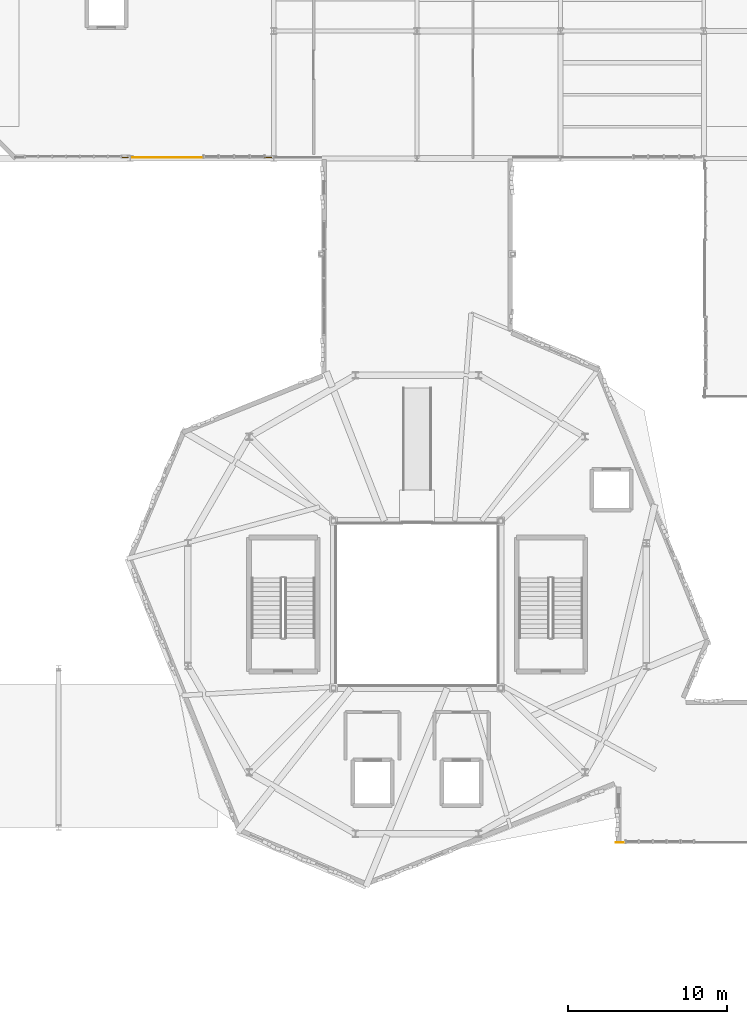
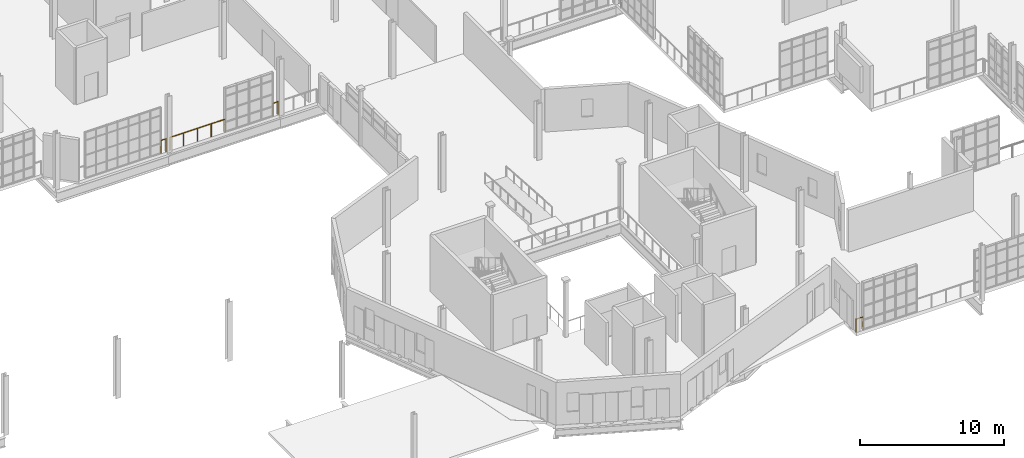
# One storey, part 113 of 122: 4 railings.
"""IFC4 building model written with IfcOpenShell, lengths in metres."""

from ifc_helpers import new_model, si_unit, direction, frame, origin, origin_2d, place, context, subcontext, project, spatial, circle, extrude, material, type_object, element, save


model = new_model("IFC4")

# Units and contexts
model_context = context("Model", 3, precision=1e-05, world=origin(), true_north=direction((0.0, 1.0)))
body_context = subcontext(model_context, "Body", "Model", "MODEL_VIEW")
ifc_project = project(units=[si_unit("LENGTHUNIT", "METRE"), si_unit("AREAUNIT", "SQUARE_METRE"), si_unit("VOLUMEUNIT", "CUBIC_METRE"), si_unit("PLANEANGLEUNIT", "RADIAN"), si_unit("MASSUNIT", "GRAM", prefix="KILO"), si_unit("THERMODYNAMICTEMPERATUREUNIT", "KELVIN"), si_unit("POWERUNIT", "WATT")], contexts=[model_context])

# Site, building, storey
site_placement = place(None, origin())
site = spatial("IfcSite", under=ifc_project, at=site_placement, CompositionType="ELEMENT")
building_placement = place(site_placement, origin())
building = spatial("IfcBuilding", under=site, at=building_placement, Name="Zelmaris Science Centre", CompositionType="ELEMENT")
storey_placement = place(building_placement, frame((0.0, 0.0, 10.800048828125)))
storey = spatial("IfcBuildingStorey", under=building, at=storey_placement, Name="L02", CompositionType="ELEMENT", Elevation=10.800048828125)

# Railings
ifc_material = material(Name="Architectural bronze alloy C28000")
railing_type = type_object("IfcRailingType", Name="Balustrade GD-01 H1120", PredefinedType="BALUSTRADE", material=ifc_material)
railing_1_placement = place(storey_placement, frame((94.070068359375, 21.06005859375, 0.0)))
element("IfcRailing", 1, at=railing_1_placement, inside=storey, type_object=railing_type, Name="L02 Perimeter safety balustrade 159", PredefinedType="BALUSTRADE", context=body_context, shape_type="SweptSolid", body=[
    extrude(circle(Radius=0.02392578125, at=origin_2d()), frame((0.0, 0.0, 1.09619140625), z_axis=(-1.0, 0.0, 0.0), x_axis=(0.0, -1.0, 0.0)), (0.0, 0.0, 1.0), 0.570068359375),
    extrude(circle(Radius=0.02099609375, at=origin_2d()), origin(), (0.0, 0.0, 1.0), 1.072021484375),
    extrude(circle(Radius=0.02099609375, at=origin_2d()), frame((-0.570068359375, 0.0, 0.0)), (0.0, 0.0, 1.0), 1.072021484375),
])
railing_2_placement = place(storey_placement, frame((71.85205078125, 64.05615234375, 0.0)))
element("IfcRailing", 2, at=railing_2_placement, inside=storey, type_object=railing_type, Name="L02 Perimeter safety balustrade 161", PredefinedType="BALUSTRADE", context=body_context, shape_type="SweptSolid", body=[
    extrude(circle(Radius=0.02392578125, at=origin_2d()), frame((0.0, 0.0, 1.09619140625), z_axis=(-0.999999832745, 0.000578368903, 0.0), x_axis=(-0.000578368903, -0.999999832745, 0.0)), (0.0, 0.0, 1.0), 0.422119140625),
    extrude(circle(Radius=0.02099609375, at=origin_2d()), origin(), (0.0, 0.0, 1.0), 1.072021484375),
    extrude(circle(Radius=0.02099609375, at=origin_2d()), frame((-0.422119140625, 0.000244140625, 0.0)), (0.0, 0.0, 1.0), 1.072021484375),
])
railing_3_placement = place(storey_placement, frame((67.590087890625, 64.05712890625, 0.0)))
element("IfcRailing", 3, at=railing_3_placement, inside=storey, type_object=railing_type, Name="L02 Perimeter safety balustrade 162", PredefinedType="BALUSTRADE", context=body_context, shape_type="SweptSolid", body=[
    extrude(circle(Radius=0.02392578125, at=origin_2d()), frame((0.0, 0.0, 1.09619140625), z_axis=(-0.999999962242, 0.000274800759, 0.0), x_axis=(-0.000274800759, -0.999999962242, 0.0)), (0.0, 0.0, 1.0), 4.442138671875),
    extrude(circle(Radius=0.02099609375, at=origin_2d()), origin(), (0.0, 0.0, 1.0), 1.072021484375),
    extrude(circle(Radius=0.02099609375, at=origin_2d()), frame((-1.110595703125, 0.000244140625, 0.0)), (0.0, 0.0, 1.0), 1.072021484375),
    extrude(circle(Radius=0.02099609375, at=origin_2d()), frame((-2.22119140625, 0.00048828125, 0.0)), (0.0, 0.0, 1.0), 1.072021484375),
    extrude(circle(Radius=0.02099609375, at=origin_2d()), frame((-3.33154296875, 0.0009765625, 0.0)), (0.0, 0.0, 1.0), 1.072021484375),
    extrude(circle(Radius=0.02099609375, at=origin_2d()), frame((-4.442138671875, 0.001220703125, 0.0)), (0.0, 0.0, 1.0), 1.072021484375),
])
railing_4_placement = place(storey_placement, frame((62.85205078125, 64.058349609375, 0.0)))
element("IfcRailing", 4, at=railing_4_placement, inside=storey, type_object=railing_type, Name="L02 Perimeter safety balustrade 163", PredefinedType="BALUSTRADE", context=body_context, shape_type="SweptSolid", body=[
    extrude(circle(Radius=0.02392578125, at=origin_2d()), frame((0.0, 0.0, 1.09619140625), z_axis=(-0.999999832745, 0.000578368903, 0.0), x_axis=(-0.000578368903, -0.999999832745, 0.0)), (0.0, 0.0, 1.0), 0.422119140625),
    extrude(circle(Radius=0.02099609375, at=origin_2d()), origin(), (0.0, 0.0, 1.0), 1.072021484375),
    extrude(circle(Radius=0.02099609375, at=origin_2d()), frame((-0.422119140625, 0.000244140625, 0.0)), (0.0, 0.0, 1.0), 1.072021484375),
])

save(model, "model.ifc")
